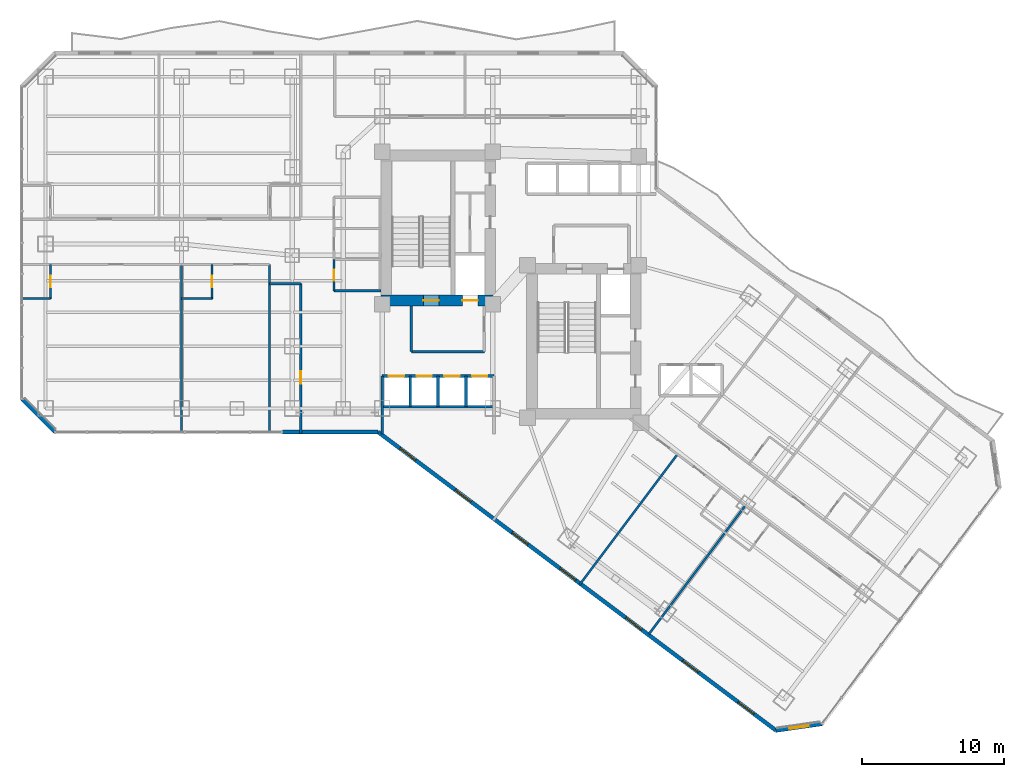
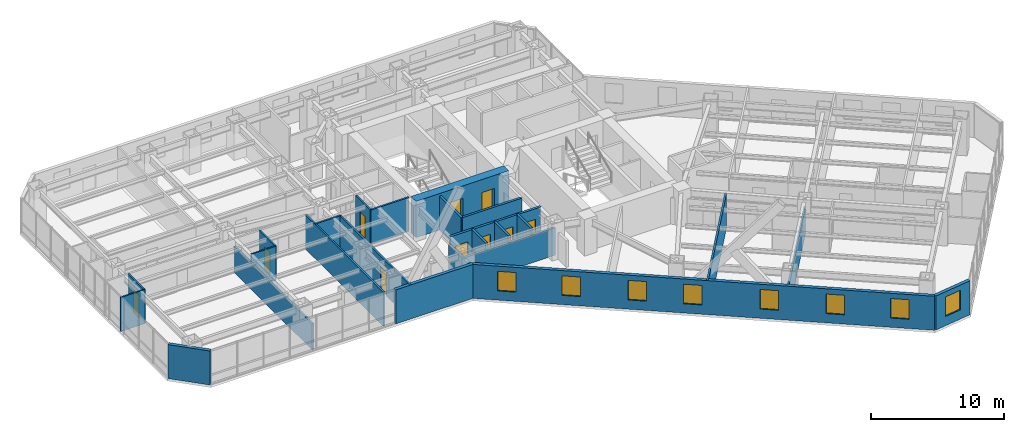
# One storey, part 23 of 33: 25 walls, 10 doors, 8 windows, 18 openings.
"""IFC4 building model written with IfcOpenShell, lengths in metres."""

from ifc_helpers import new_model, si_unit, direction, frame, frame_2d, origin, place, context, subcontext, project, spatial, rectangle, extrude, material, layer, layer_set, type_object, element, fill, save


model = new_model("IFC4")

# Units and contexts
model_context = context("Model", 3, precision=1e-05, world=origin(), true_north=direction((0.0, 1.0)))
body_context = subcontext(model_context, "Body", "Model", "MODEL_VIEW")
ifc_project = project(units=[si_unit("LENGTHUNIT", "METRE"), si_unit("AREAUNIT", "SQUARE_METRE"), si_unit("VOLUMEUNIT", "CUBIC_METRE"), si_unit("PLANEANGLEUNIT", "RADIAN"), si_unit("MASSUNIT", "GRAM", prefix="KILO")], contexts=[model_context])

# Site, building, storey
site_placement = place(None, origin())
site = spatial("IfcSite", under=ifc_project, at=site_placement, CompositionType="ELEMENT")
building_placement = place(site_placement, origin())
building = spatial("IfcBuilding", under=site, at=building_placement, Name="Hatsunagi Terrace Concourse", CompositionType="ELEMENT")
storey_placement = place(building_placement, frame((0.0, 0.0, 53.35009765625)))
storey = spatial("IfcBuildingStorey", under=building, at=storey_placement, Name="L13", CompositionType="ELEMENT", Elevation=53.35009765625)

# Wall, openings, doors
ifc_material_1 = material(Name="Concrete Fc60", Category="concrete")
ifc_layer_1 = layer(ifc_material_1, 0.75)
ifc_layer_set_1 = layer_set([ifc_layer_1], Name="CoreShearWall_Fc60_750")
wall_type_1 = type_object("IfcWallType", Name="CoreShearWall_Fc60_750", PredefinedType="SHEAR", material=ifc_layer_set_1)
wall_1_placement = place(storey_placement, frame((25.469970703125, 32.81494140625, 0.0), z_axis=(0.0, 0.0, 1.0), x_axis=(1.0, 0.0, 0.0)))
wall_1 = element("IfcWall", 1, at=wall_1_placement, inside=storey, type_object=wall_type_1, Name="Core A Shear Wall S L13", PredefinedType="SHEAR", context=body_context, shape_type="SweptSolid", body=[
    extrude(rectangle(XDim=8.080078125, YDim=0.75, at=frame_2d((4.0400390625, 0.0))), origin(), (0.0, 0.0, 1.0), 3.349853515625),
])
opening_1_placement = place(wall_1_placement, frame((2.97998046875, 0.0, 0.0)))
opening_1 = element("IfcOpeningElement", 2, at=opening_1_placement, cuts=wall_1, Name="Opening DR-110S", PredefinedType="OPENING", context=body_context, shape_type="SweptSolid", body=[
    extrude(rectangle(XDim=1.10009765625, YDim=2.199951171875, at=frame_2d((0.550048828125, 1.10009765625))), frame((0.0, 0.385009765625, 0.0), z_axis=(0.0, -1.0, 0.0), x_axis=(1.0, 0.0, 0.0)), (0.0, 0.0, 1.0), 0.77001953125),
])
opening_2_placement = place(wall_1_placement, frame((5.72998046875, 0.0, 0.0)))
opening_2 = element("IfcOpeningElement", 3, at=opening_2_placement, cuts=wall_1, Name="Opening LD-01", PredefinedType="OPENING", context=body_context, shape_type="SweptSolid", body=[
    extrude(rectangle(XDim=1.10009765625, YDim=2.14990234375, at=frame_2d((0.550048828125, 1.074951171875))), frame((0.0, 0.385009765625, 0.0), z_axis=(0.0, -1.0, 0.0), x_axis=(1.0, 0.0, 0.0)), (0.0, 0.0, 1.0), 0.77001953125),
])
ifc_material_2 = material(Name="Stainless steel", Category="steel")
door_type_1 = type_object("IfcDoorType", Name="LiftLandingDoor_LD01", OperationType="SLIDING_TO_LEFT", PredefinedType="USERDEFINED", material=ifc_material_2)
door_1_placement = place(opening_2_placement, origin())
door_1 = element("IfcDoor", 4, at=door_1_placement, inside=storey, type_object=door_type_1, Name="Lift landing door FF-01 L13", ObjectType="SLIDING_LANDING_DOOR", OperationType="SLIDING_TO_LEFT", OverallHeight=2.14990234375, OverallWidth=1.10009765625, PredefinedType="USERDEFINED", context=body_context, shape_type="SweptSolid", body=[
    extrude(rectangle(XDim=1.10009765625, YDim=2.14990234375, at=frame_2d((0.550048828125, 1.074951171875))), frame((0.0, 0.02490234375, 0.0), z_axis=(0.0, -1.0, 0.0), x_axis=(1.0, 0.0, 0.0)), (0.0, 0.0, 1.0), 0.050048828125),
])
fill(opening_2, door_1)
ifc_material_3 = material(Name="Painted steel", Category="steel")
door_type_2 = type_object("IfcDoorType", Name="StairFireDoor_EI60_1100", OperationType="NOTDEFINED", PredefinedType="DOOR", material=ifc_material_3)
door_2_placement = place(opening_1_placement, origin())
door_2 = element("IfcDoor", 5, at=door_2_placement, inside=storey, type_object=door_type_2, Name="Stair ST-A Exit Door L13", OperationType="SINGLE_SWING_LEFT", OverallHeight=2.199951171875, OverallWidth=1.10009765625, PredefinedType="DOOR", context=body_context, shape_type="SweptSolid", body=[
    extrude(rectangle(XDim=1.10009765625, YDim=2.199951171875, at=frame_2d((0.550048828125, 1.10009765625))), frame((0.0, 0.02490234375, 0.0), z_axis=(0.0, -1.0, 0.0), x_axis=(1.0, 0.0, 0.0)), (0.0, 0.0, 1.0), 0.050048828125),
])
fill(opening_1, door_2)

# Wall, opening, door
ifc_material_4 = material(Name="Acoustic mineral board", Category="gypsum")
ifc_layer_2 = layer(ifc_material_4, 0.1201171875)
ifc_layer_set_2 = layer_set([ifc_layer_2], Name="PartitionWall_EI30_120")
wall_type_2 = type_object("IfcWallType", Name="PartitionWall_EI30_120", PredefinedType="PARTITIONING", material=ifc_layer_set_2)
wall_2_placement = place(storey_placement, frame((2.14990234375, 32.949951171875, 0.0), z_axis=(0.0, 0.0, 1.0), x_axis=(0.0, 1.0, 0.0)))
wall_2 = element("IfcWall", 6, at=wall_2_placement, inside=storey, type_object=wall_type_2, Name="Interior Partition IW-L13-057", PredefinedType="PARTITIONING", context=body_context, shape_type="SweptSolid", body=[
    extrude(rectangle(XDim=2.400146484375, YDim=0.1201171875, at=frame_2d((1.2001953125, 0.0))), origin(), (0.0, 0.0, 1.0), 3.1298828125),
])
opening_3_placement = place(wall_2_placement, frame((0.800048828125, 0.0, 0.0)))
opening_3 = element("IfcOpeningElement", 7, at=opening_3_placement, cuts=wall_2, Name="Opening DR-080", PredefinedType="OPENING", context=body_context, shape_type="SweptSolid", body=[
    extrude(rectangle(XDim=0.800048828125, YDim=2.06005859375, at=frame_2d((0.39990234375, 1.030029296875))), frame((0.0, 0.070068359375, 0.0), z_axis=(0.0, -1.0, 0.0), x_axis=(1.0, 0.0, 0.0)), (0.0, 0.0, 1.0), 0.14013671875),
])
ifc_material_5 = material(Name="Hardwood timber", Category="wood")
door_type_3 = type_object("IfcDoorType", Name="BathroomDoor_800", OperationType="NOTDEFINED", PredefinedType="DOOR", material=ifc_material_5)
door_3_placement = place(opening_3_placement, origin())
door_3 = element("IfcDoor", 8, at=door_3_placement, inside=storey, type_object=door_type_3, Name="En-Suite Bathroom L13-S1 Door", OperationType="SINGLE_SWING_RIGHT", OverallHeight=2.06005859375, OverallWidth=0.800048828125, PredefinedType="DOOR", context=body_context, shape_type="SweptSolid", body=[
    extrude(rectangle(XDim=0.800048828125, YDim=2.06005859375, at=frame_2d((0.39990234375, 1.030029296875))), frame((0.0, 0.02490234375, 0.0), z_axis=(0.0, -1.0, 0.0), x_axis=(1.0, 0.0, 0.0)), (0.0, 0.0, 1.0), 0.050048828125),
])
fill(opening_3, door_3)

# Wall
wall_3_placement = place(storey_placement, frame((0.0400390625, 32.949951171875, 0.0), z_axis=(0.0, 0.0, 1.0), x_axis=(1.0, 0.0, 0.0)))
element("IfcWall", 9, at=wall_3_placement, inside=storey, type_object=wall_type_2, Name="Interior Partition IW-L13-058", PredefinedType="PARTITIONING", context=body_context, shape_type="SweptSolid", body=[
    extrude(rectangle(XDim=2.10986328125, YDim=0.1201171875, at=frame_2d((1.054931640625, 0.0))), origin(), (0.0, 0.0, 1.0), 3.1298828125),
])

# Wall, opening, door
wall_4_placement = place(storey_placement, frame((13.550048828125, 32.949951171875, 0.0), z_axis=(0.0, 0.0, 1.0), x_axis=(0.0, 1.0, 0.0)))
wall_4 = element("IfcWall", 10, at=wall_4_placement, inside=storey, type_object=wall_type_2, Name="Interior Partition IW-L13-062", PredefinedType="PARTITIONING", context=body_context, shape_type="SweptSolid", body=[
    extrude(rectangle(XDim=2.400146484375, YDim=0.1201171875, at=frame_2d((1.2001953125, 0.0))), origin(), (0.0, 0.0, 1.0), 3.1298828125),
])
opening_4_placement = place(wall_4_placement, frame((0.800048828125, 0.0, 0.0)))
opening_4 = element("IfcOpeningElement", 11, at=opening_4_placement, cuts=wall_4, Name="Opening DR-080", PredefinedType="OPENING", context=body_context, shape_type="SweptSolid", body=[
    extrude(rectangle(XDim=0.800048828125, YDim=2.06005859375, at=frame_2d((0.39990234375, 1.030029296875))), frame((0.0, 0.070068359375, 0.0), z_axis=(0.0, -1.0, 0.0), x_axis=(1.0, 0.0, 0.0)), (0.0, 0.0, 1.0), 0.14013671875),
])
door_4_placement = place(opening_4_placement, origin())
door_4 = element("IfcDoor", 12, at=door_4_placement, inside=storey, type_object=door_type_3, Name="En-Suite Bathroom L13-S2 Door", OperationType="SINGLE_SWING_RIGHT", OverallHeight=2.06005859375, OverallWidth=0.800048828125, PredefinedType="DOOR", context=body_context, shape_type="SweptSolid", body=[
    extrude(rectangle(XDim=0.800048828125, YDim=2.06005859375, at=frame_2d((0.39990234375, 1.030029296875))), frame((0.0, 0.02490234375, 0.0), z_axis=(0.0, -1.0, 0.0), x_axis=(1.0, 0.0, 0.0)), (0.0, 0.0, 1.0), 0.050048828125),
])
fill(opening_4, door_4)

# Walls
wall_5_placement = place(storey_placement, frame((11.39990234375, 32.949951171875, 0.0), z_axis=(0.0, 0.0, 1.0), x_axis=(1.0, 0.0, 0.0)))
element("IfcWall", 13, at=wall_5_placement, inside=storey, type_object=wall_type_2, Name="Interior Partition IW-L13-063", PredefinedType="PARTITIONING", context=body_context, shape_type="SweptSolid", body=[
    extrude(rectangle(XDim=2.150146484375, YDim=0.1201171875, at=frame_2d((1.0751953125, 0.0))), origin(), (0.0, 0.0, 1.0), 3.1298828125),
])
ifc_material_6 = material(Name="Acoustic mineral board", Category="gypsum")
ifc_layer_3 = layer(ifc_material_6, 0.14990234375)
ifc_layer_set_3 = layer_set([ifc_layer_3], Name="PartitionWall_EI60_150")
wall_type_3 = type_object("IfcWallType", Name="PartitionWall_EI60_150", PredefinedType="PARTITIONING", material=ifc_layer_set_3)
wall_6_placement = place(storey_placement, frame((22.14990234375, 33.5, 0.0), z_axis=(0.0, 0.0, 1.0), x_axis=(1.0, 0.0, 0.0)))
element("IfcWall", 14, at=wall_6_placement, inside=storey, type_object=wall_type_3, Name="Interior Partition IW-L13-030", PredefinedType="PARTITIONING", context=body_context, shape_type="SweptSolid", body=[
    extrude(rectangle(XDim=3.300048828125, YDim=0.14990234375, at=frame_2d((1.64990234375, 0.0))), origin(), (0.0, 0.0, 1.0), 3.1298828125),
])

# Wall, opening, door
wall_7_placement = place(storey_placement, frame((22.14990234375, 33.5, 0.0), z_axis=(0.0, 0.0, 1.0), x_axis=(0.0, 1.0, 0.0)))
wall_7 = element("IfcWall", 15, at=wall_7_placement, inside=storey, type_object=wall_type_3, Name="Interior Partition IW-L13-035", PredefinedType="PARTITIONING", context=body_context, shape_type="SweptSolid", body=[
    extrude(rectangle(XDim=2.199951171875, YDim=0.14990234375, at=frame_2d((1.10009765625, 0.0))), origin(), (0.0, 0.0, 1.0), 3.1298828125),
])
opening_5_placement = place(wall_7_placement, frame((0.699951171875, 0.0, 0.0)))
opening_5 = element("IfcOpeningElement", 16, at=opening_5_placement, cuts=wall_7, Name="Opening DR-080", PredefinedType="OPENING", context=body_context, shape_type="SweptSolid", body=[
    extrude(rectangle(XDim=0.800048828125, YDim=2.06005859375, at=frame_2d((0.39990234375, 1.030029296875))), frame((0.0, 0.0849609375, 0.0), z_axis=(0.0, -1.0, 0.0), x_axis=(1.0, 0.0, 0.0)), (0.0, 0.0, 1.0), 0.169921875),
])
door_5_placement = place(opening_5_placement, origin())
door_5 = element("IfcDoor", 17, at=door_5_placement, inside=storey, type_object=door_type_3, Name="Accessible WC Door L13", OperationType="SINGLE_SWING_RIGHT", OverallHeight=2.06005859375, OverallWidth=0.800048828125, PredefinedType="DOOR", context=body_context, shape_type="SweptSolid", body=[
    extrude(rectangle(XDim=0.800048828125, YDim=2.06005859375, at=frame_2d((0.39990234375, 1.030029296875))), frame((0.0, 0.02490234375, 0.0), z_axis=(0.0, -1.0, 0.0), x_axis=(1.0, 0.0, 0.0)), (0.0, 0.0, 1.0), 0.050048828125),
])
fill(opening_5, door_5)

# Walls
wall_8_placement = place(storey_placement, frame((39.464111328125, 12.751953125, 0.0), z_axis=(0.0, 0.0, 1.0), x_axis=(0.6, 0.8, 0.0)))
element("IfcWall", 18, at=wall_8_placement, inside=storey, type_object=wall_type_3, Name="Interior Partition IW-L13-044", PredefinedType="PARTITIONING", context=body_context, shape_type="SweptSolid", body=[
    extrude(rectangle(XDim=11.510009765625, YDim=0.14990234375, at=frame_2d((5.7548828125, 0.0))), origin(), (0.0, 0.0, 1.0), 3.1298828125),
])
wall_9_placement = place(storey_placement, frame((11.39990234375, 23.60009765625, 0.0), z_axis=(0.0, 0.0, 1.0), x_axis=(0.0, 1.0, 0.0)))
element("IfcWall", 19, at=wall_9_placement, inside=storey, type_object=wall_type_3, Name="Interior Partition IW-L13-059", PredefinedType="PARTITIONING", context=body_context, shape_type="SweptSolid", body=[
    extrude(rectangle(XDim=11.75, YDim=0.14990234375, at=frame_2d((5.875, 0.0))), origin(), (0.0, 0.0, 1.0), 2.4248046875),
])
wall_10_placement = place(storey_placement, frame((17.60009765625, 23.60009765625, 0.0), z_axis=(0.0, 0.0, 1.0), x_axis=(0.0, 1.0, 0.0)))
element("IfcWall", 20, at=wall_10_placement, inside=storey, type_object=wall_type_3, Name="Interior Partition IW-L13-064", PredefinedType="PARTITIONING", context=body_context, shape_type="SweptSolid", body=[
    extrude(rectangle(XDim=11.75, YDim=0.14990234375, at=frame_2d((5.875, 0.0))), origin(), (0.0, 0.0, 1.0), 3.1298828125),
])
wall_11_placement = place(storey_placement, frame((17.60009765625, 34.0, 0.0), z_axis=(0.0, 0.0, 1.0), x_axis=(1.0, 0.0, 0.0)))
element("IfcWall", 21, at=wall_11_placement, inside=storey, type_object=wall_type_3, Name="Interior Partition IW-L13-065", PredefinedType="PARTITIONING", context=body_context, shape_type="SweptSolid", body=[
    extrude(rectangle(XDim=2.199951171875, YDim=0.14990234375, at=frame_2d((1.10009765625, 0.0))), origin(), (0.0, 0.0, 1.0), 3.1298828125),
])

# Wall, opening, door
wall_12_placement = place(storey_placement, frame((19.800048828125, 23.43994140625, 0.0), z_axis=(0.0, 0.0, 1.0), x_axis=(0.0, 1.0, 0.0)))
wall_12 = element("IfcWall", 22, at=wall_12_placement, inside=storey, type_object=wall_type_3, Name="Interior Partition IW-L13-066", PredefinedType="PARTITIONING", context=body_context, shape_type="SweptSolid", body=[
    extrude(rectangle(XDim=10.56005859375, YDim=0.14990234375, at=frame_2d((5.280029296875, 0.0))), origin(), (0.0, 0.0, 1.0), 3.1298828125),
])
opening_6_placement = place(wall_12_placement, frame((3.4951171875, 0.0, 0.0)))
opening_6 = element("IfcOpeningElement", 23, at=opening_6_placement, cuts=wall_12, Name="Opening DR-090", PredefinedType="OPENING", context=body_context, shape_type="SweptSolid", body=[
    extrude(rectangle(XDim=0.89990234375, YDim=2.14990234375, at=frame_2d((0.449951171875, 1.074951171875))), frame((0.0, 0.0849609375, 0.0), z_axis=(0.0, -1.0, 0.0), x_axis=(1.0, 0.0, 0.0)), (0.0, 0.0, 1.0), 0.169921875),
])
ifc_material_7 = material(Name="Hardwood timber", Category="wood")
door_type_4 = type_object("IfcDoorType", Name="CrownPavilionDoor_EI30_900", OperationType="NOTDEFINED", PredefinedType="DOOR", material=ifc_material_7)
door_6_placement = place(opening_6_placement, origin())
door_6 = element("IfcDoor", 24, at=door_6_placement, inside=storey, type_object=door_type_4, Name="Catering Pantry L13-HPAN Door", OperationType="SINGLE_SWING_RIGHT", OverallHeight=2.14990234375, OverallWidth=0.89990234375, PredefinedType="DOOR", context=body_context, shape_type="SweptSolid", body=[
    extrude(rectangle(XDim=0.89990234375, YDim=2.14990234375, at=frame_2d((0.449951171875, 1.074951171875))), frame((0.0, 0.02490234375, 0.0), z_axis=(0.0, -1.0, 0.0), x_axis=(1.0, 0.0, 0.0)), (0.0, 0.0, 1.0), 0.050048828125),
])
fill(opening_6, door_6)

# Walls
wall_13_placement = place(storey_placement, frame((44.360107421875, 9.280029296875, 0.0), z_axis=(0.0, 0.0, 1.0), x_axis=(0.599986233332, 0.800010324816, 0.0)))
element("IfcWall", 25, at=wall_13_placement, inside=storey, type_object=wall_type_3, Name="Interior Partition IW-L13-086", PredefinedType="PARTITIONING", context=body_context, shape_type="SweptSolid", body=[
    extrude(rectangle(XDim=11.349853515625, YDim=0.14990234375, at=frame_2d((5.6748046875, 0.0))), origin(), (0.0, 0.0, 1.0), 2.4248046875),
])
ifc_material_8 = material(Name="Acoustic mineral board", Category="gypsum")
ifc_layer_4 = layer(ifc_material_8, 0.199951171875)
ifc_layer_set_4 = layer_set([ifc_layer_4], Name="ShaftWall_EI120_200")
wall_type_4 = type_object("IfcWallType", Name="ShaftWall_EI120_200", PredefinedType="STANDARD", material=ifc_layer_set_4)
wall_14_placement = place(storey_placement, frame((27.60009765625, 29.199951171875, 0.0), z_axis=(0.0, 0.0, 1.0), x_axis=(1.0, 0.0, 0.0)))
element("IfcWall", 26, at=wall_14_placement, inside=storey, type_object=wall_type_4, Name="Interior Partition IW-L13-006", PredefinedType="STANDARD", context=body_context, shape_type="SweptSolid", body=[
    extrude(rectangle(XDim=5.14990234375, YDim=0.199951171875, at=frame_2d((2.574951171875, 0.0))), origin(), (0.0, 0.0, 1.0), 3.1298828125),
])
wall_15_placement = place(storey_placement, frame((27.60009765625, 29.199951171875, 0.0), z_axis=(0.0, 0.0, 1.0), x_axis=(0.0, 1.0, 0.0)))
element("IfcWall", 27, at=wall_15_placement, inside=storey, type_object=wall_type_4, Name="Interior Partition IW-L13-007", PredefinedType="STANDARD", context=body_context, shape_type="SweptSolid", body=[
    extrude(rectangle(XDim=3.239990234375, YDim=0.199951171875, at=frame_2d((1.6201171875, 0.0))), origin(), (0.0, 0.0, 1.0), 3.1298828125),
])
wall_16_placement = place(storey_placement, frame((25.550048828125, 23.39990234375, 0.0), z_axis=(0.0, 0.0, 1.0), x_axis=(0.0, 1.0, 0.0)))
element("IfcWall", 28, at=wall_16_placement, inside=storey, type_object=wall_type_4, Name="Interior Partition IW-L13-012", PredefinedType="STANDARD", context=body_context, shape_type="SweptSolid", body=[
    extrude(rectangle(XDim=4.080078125, YDim=0.199951171875, at=frame_2d((2.0400390625, 0.0))), origin(), (0.0, 0.0, 1.0), 2.4248046875),
])
wall_17_placement = place(storey_placement, frame((25.550048828125, 25.320068359375, 0.0), z_axis=(0.0, 0.0, 1.0), x_axis=(1.0, 0.0, 0.0)))
element("IfcWall", 29, at=wall_17_placement, inside=storey, type_object=wall_type_4, Name="Interior Partition IW-L13-014", PredefinedType="STANDARD", context=body_context, shape_type="SweptSolid", body=[
    extrude(rectangle(XDim=7.8798828125, YDim=0.199951171875, at=frame_2d((3.93994140625, 0.0))), origin(), (0.0, 0.0, 1.0), 2.52490234375),
])
for number, where, z_axis, x_axis, name in (
    (30, (27.530029296875, 25.320068359375, 0.0), (0.0, 0.0, 1.0), (0.0, 1.0, 0.0), "Interior Partition IW-L13-015"),
    (31, (29.489990234375, 25.320068359375, 0.0), (0.0, 0.0, 1.0), (0.0, 1.0, 0.0), "Interior Partition IW-L13-016"),
    (32, (31.449951171875, 25.320068359375, 0.0), (0.0, 0.0, 1.0), (0.0, 1.0, 0.0), "Interior Partition IW-L13-017"),
):
    element("IfcWall", number, at=place(storey_placement, frame(where, z_axis=z_axis, x_axis=x_axis)), inside=storey, type_object=wall_type_4, Name=name, PredefinedType="STANDARD", context=body_context, shape_type="SweptSolid", body=[
        extrude(rectangle(XDim=2.159912109375, YDim=0.199951171875, at=frame_2d((1.080078125, 0.0))), origin(), (0.0, 0.0, 1.0), 3.1298828125),
    ])

# Wall, openings, doors
wall_18_placement = place(storey_placement, frame((25.550048828125, 27.47998046875, 0.0), z_axis=(0.0, 0.0, 1.0), x_axis=(1.0, 0.0, 0.0)))
wall_18 = element("IfcWall", 33, at=wall_18_placement, inside=storey, type_object=wall_type_4, Name="Interior Partition IW-L13-018", PredefinedType="STANDARD", context=body_context, shape_type="SweptSolid", body=[
    extrude(rectangle(XDim=7.8798828125, YDim=0.199951171875, at=frame_2d((3.93994140625, 0.0))), origin(), (0.0, 0.0, 1.0), 3.1298828125),
])
opening_7_placement = place(wall_18_placement, frame((0.4599609375, 0.0, 0.0)))
opening_7 = element("IfcOpeningElement", 34, at=opening_7_placement, cuts=wall_18, Name="Opening LD-03", PredefinedType="OPENING", context=body_context, shape_type="SweptSolid", body=[
    extrude(rectangle(XDim=1.080078125, YDim=2.14990234375, at=frame_2d((0.5400390625, 1.074951171875))), frame((0.0, 0.10986328125, 0.0), z_axis=(0.0, -1.0, 0.0), x_axis=(1.0, 0.0, 0.0)), (0.0, 0.0, 1.0), 0.219970703125),
])
opening_8_placement = place(wall_18_placement, frame((2.419921875, 0.0, 0.0)))
opening_8 = element("IfcOpeningElement", 35, at=opening_8_placement, cuts=wall_18, Name="Opening LD-03", PredefinedType="OPENING", context=body_context, shape_type="SweptSolid", body=[
    extrude(rectangle(XDim=1.080078125, YDim=2.14990234375, at=frame_2d((0.5400390625, 1.074951171875))), frame((0.0, 0.10986328125, 0.0), z_axis=(0.0, -1.0, 0.0), x_axis=(1.0, 0.0, 0.0)), (0.0, 0.0, 1.0), 0.219970703125),
])
opening_9_placement = place(wall_18_placement, frame((4.3798828125, 0.0, 0.0)))
opening_9 = element("IfcOpeningElement", 36, at=opening_9_placement, cuts=wall_18, Name="Opening LD-03", PredefinedType="OPENING", context=body_context, shape_type="SweptSolid", body=[
    extrude(rectangle(XDim=1.080078125, YDim=2.14990234375, at=frame_2d((0.5400390625, 1.074951171875))), frame((0.0, 0.10986328125, 0.0), z_axis=(0.0, -1.0, 0.0), x_axis=(1.0, 0.0, 0.0)), (0.0, 0.0, 1.0), 0.219970703125),
])
opening_10_placement = place(wall_18_placement, frame((6.340087890625, 0.0, 0.0)))
opening_10 = element("IfcOpeningElement", 37, at=opening_10_placement, cuts=wall_18, Name="Opening LD-03", PredefinedType="OPENING", context=body_context, shape_type="SweptSolid", body=[
    extrude(rectangle(XDim=1.080078125, YDim=2.14990234375, at=frame_2d((0.5400390625, 1.074951171875))), frame((0.0, 0.10986328125, 0.0), z_axis=(0.0, -1.0, 0.0), x_axis=(1.0, 0.0, 0.0)), (0.0, 0.0, 1.0), 0.219970703125),
])
ifc_material_9 = material(Name="Stainless steel", Category="steel")
door_type_5 = type_object("IfcDoorType", Name="LiftLandingDoor_LD03", OperationType="SLIDING_TO_LEFT", PredefinedType="USERDEFINED", material=ifc_material_9)
door_7_placement = place(opening_7_placement, origin())
door_7 = element("IfcDoor", 38, at=door_7_placement, inside=storey, type_object=door_type_5, Name="Lift landing door PL-01 L13", ObjectType="SLIDING_LANDING_DOOR", OperationType="SLIDING_TO_LEFT", OverallHeight=2.14990234375, OverallWidth=1.080078125, PredefinedType="USERDEFINED", context=body_context, shape_type="SweptSolid", body=[
    extrude(rectangle(XDim=1.080078125, YDim=2.14990234375, at=frame_2d((0.5400390625, 1.074951171875))), frame((0.0, 0.02490234375, 0.0), z_axis=(0.0, -1.0, 0.0), x_axis=(1.0, 0.0, 0.0)), (0.0, 0.0, 1.0), 0.050048828125),
])
fill(opening_7, door_7)
door_8_placement = place(opening_8_placement, origin())
door_8 = element("IfcDoor", 39, at=door_8_placement, inside=storey, type_object=door_type_5, Name="Lift landing door PL-02 L13", ObjectType="SLIDING_LANDING_DOOR", OperationType="SLIDING_TO_LEFT", OverallHeight=2.14990234375, OverallWidth=1.080078125, PredefinedType="USERDEFINED", context=body_context, shape_type="SweptSolid", body=[
    extrude(rectangle(XDim=1.080078125, YDim=2.14990234375, at=frame_2d((0.5400390625, 1.074951171875))), frame((0.0, 0.02490234375, 0.0), z_axis=(0.0, -1.0, 0.0), x_axis=(1.0, 0.0, 0.0)), (0.0, 0.0, 1.0), 0.050048828125),
])
fill(opening_8, door_8)
door_9_placement = place(opening_9_placement, origin())
door_9 = element("IfcDoor", 40, at=door_9_placement, inside=storey, type_object=door_type_5, Name="Lift landing door PL-03 L13", ObjectType="SLIDING_LANDING_DOOR", OperationType="SLIDING_TO_LEFT", OverallHeight=2.14990234375, OverallWidth=1.080078125, PredefinedType="USERDEFINED", context=body_context, shape_type="SweptSolid", body=[
    extrude(rectangle(XDim=1.080078125, YDim=2.14990234375, at=frame_2d((0.5400390625, 1.074951171875))), frame((0.0, 0.02490234375, 0.0), z_axis=(0.0, -1.0, 0.0), x_axis=(1.0, 0.0, 0.0)), (0.0, 0.0, 1.0), 0.050048828125),
])
fill(opening_9, door_9)
door_10_placement = place(opening_10_placement, origin())
door_10 = element("IfcDoor", 41, at=door_10_placement, inside=storey, type_object=door_type_5, Name="Lift landing door PL-04 L13", ObjectType="SLIDING_LANDING_DOOR", OperationType="SLIDING_TO_LEFT", OverallHeight=2.14990234375, OverallWidth=1.080078125, PredefinedType="USERDEFINED", context=body_context, shape_type="SweptSolid", body=[
    extrude(rectangle(XDim=1.080078125, YDim=2.14990234375, at=frame_2d((0.5400390625, 1.074951171875))), frame((0.0, 0.02490234375, 0.0), z_axis=(0.0, -1.0, 0.0), x_axis=(1.0, 0.0, 0.0)), (0.0, 0.0, 1.0), 0.050048828125),
])
fill(opening_10, door_10)

# Wall, opening, window
ifc_material_10 = material(Name="Autoclaved Lightweight Concrete and Terracotta Cladding", Category="masonry")
ifc_layer_5 = layer(ifc_material_10, 0.280029296875)
ifc_layer_set_5 = layer_set([ifc_layer_5], Name="TerracottaSpandrelWall_280")
wall_type_5 = type_object("IfcWallType", Name="TerracottaSpandrelWall_280", PredefinedType="STANDARD", material=ifc_layer_set_5)
wall_19_placement = place(storey_placement, frame((56.56298828125, 2.949951171875, 0.0), z_axis=(0.0, 0.0, 1.0), x_axis=(-0.989977778067, -0.141223223777, 0.0)))
wall_19 = element("IfcWall", 42, at=wall_19_placement, inside=storey, type_object=wall_type_5, Name="Exterior Spandrel Wall EW-L13-04", PredefinedType="STANDARD", context=body_context, shape_type="SweptSolid", body=[
    extrude(rectangle(XDim=3.27783203125, YDim=0.280029296875, at=frame_2d((1.638916015625, 0.0))), origin(), (0.0, 0.0, 1.0), 3.1298828125),
])
opening_11_placement = place(wall_19_placement, frame((0.93896484375, 0.0, 0.85009765625)))
opening_11 = element("IfcOpeningElement", 43, at=opening_11_placement, cuts=wall_19, Name="Opening WIN-02", PredefinedType="OPENING", context=body_context, shape_type="SweptSolid", body=[
    extrude(rectangle(XDim=1.39990234375, YDim=1.800048828125, at=frame_2d((0.699951171875, 0.89990234375))), frame((0.0, 0.14990234375, 0.0), z_axis=(0.0, -1.0, 0.0), x_axis=(1.0, 0.0, 0.0)), (0.0, 0.0, 1.0), 0.300048828125),
])
ifc_material_11 = material(Name="Thermally Broken Aluminium and Low-E Triple Glazing", Category="aluminium")
window_type = type_object("IfcWindowType", Name="HotelOperableVentWindow_1400x1800", PartitioningType="DOUBLE_PANEL_VERTICAL", PredefinedType="WINDOW", material=ifc_material_11)
window_1_placement = place(opening_11_placement, origin())
window_1 = element("IfcWindow", 44, at=window_1_placement, inside=storey, type_object=window_type, Name="Hotel Guestroom Window L13-04-1", OverallHeight=1.800048828125, OverallWidth=1.39990234375, PartitioningType="SINGLE_PANEL", PredefinedType="WINDOW", context=body_context, shape_type="SweptSolid", body=[
    extrude(rectangle(XDim=1.39990234375, YDim=1.800048828125, at=frame_2d((0.699951171875, 0.89990234375))), frame((0.0, 0.030029296875, 0.0), z_axis=(0.0, -1.0, 0.0), x_axis=(1.0, 0.0, 0.0)), (0.0, 0.0, 1.0), 0.06005859375),
])
fill(opening_11, window_1)

# Wall, openings, windows
wall_20_placement = place(storey_placement, frame((53.318115234375, 2.487060546875, 0.0), z_axis=(0.0, 0.0, 1.0), x_axis=(-0.800004174678, 0.599994433723, 0.0)))
wall_20 = element("IfcWall", 45, at=wall_20_placement, inside=storey, type_object=wall_type_5, Name="Exterior Spandrel Wall EW-L13-05", PredefinedType="STANDARD", context=body_context, shape_type="SweptSolid", body=[
    extrude(rectangle(XDim=35.088623046875, YDim=0.280029296875, at=frame_2d((17.54443359375, 0.0))), origin(), (0.0, 0.0, 1.0), 3.1298828125),
])
opening_12_placement = place(wall_20_placement, frame((1.930908203125, 0.0, 0.85009765625)))
opening_12 = element("IfcOpeningElement", 46, at=opening_12_placement, cuts=wall_20, Name="Opening WIN-02", PredefinedType="OPENING", context=body_context, shape_type="SweptSolid", body=[
    extrude(rectangle(XDim=1.39990234375, YDim=1.800048828125, at=frame_2d((0.699951171875, 0.89990234375))), frame((0.0, 0.14990234375, 0.0), z_axis=(0.0, -1.0, 0.0), x_axis=(1.0, 0.0, 0.0)), (0.0, 0.0, 1.0), 0.300048828125),
])
opening_13_placement = place(wall_20_placement, frame((6.819091796875, 0.0, 0.85009765625)))
opening_13 = element("IfcOpeningElement", 47, at=opening_13_placement, cuts=wall_20, Name="Opening WIN-02", PredefinedType="OPENING", context=body_context, shape_type="SweptSolid", body=[
    extrude(rectangle(XDim=1.39990234375, YDim=1.800048828125, at=frame_2d((0.699951171875, 0.89990234375))), frame((0.0, 0.14990234375, 0.0), z_axis=(0.0, -1.0, 0.0), x_axis=(1.0, 0.0, 0.0)), (0.0, 0.0, 1.0), 0.300048828125),
])
opening_14_placement = place(wall_20_placement, frame((11.83203125, 0.0, 0.85009765625)))
opening_14 = element("IfcOpeningElement", 48, at=opening_14_placement, cuts=wall_20, Name="Opening WIN-02", PredefinedType="OPENING", context=body_context, shape_type="SweptSolid", body=[
    extrude(rectangle(XDim=1.39990234375, YDim=1.800048828125, at=frame_2d((0.699951171875, 0.89990234375))), frame((0.0, 0.14990234375, 0.0), z_axis=(0.0, -1.0, 0.0), x_axis=(1.0, 0.0, 0.0)), (0.0, 0.0, 1.0), 0.300048828125),
])
opening_15_placement = place(wall_20_placement, frame((17.64697265625, 0.0, 0.85009765625)))
opening_15 = element("IfcOpeningElement", 49, at=opening_15_placement, cuts=wall_20, Name="Opening WIN-02", PredefinedType="OPENING", context=body_context, shape_type="SweptSolid", body=[
    extrude(rectangle(XDim=1.39990234375, YDim=1.800048828125, at=frame_2d((0.699951171875, 0.89990234375))), frame((0.0, 0.14990234375, 0.0), z_axis=(0.0, -1.0, 0.0), x_axis=(1.0, 0.0, 0.0)), (0.0, 0.0, 1.0), 0.300048828125),
])
opening_16_placement = place(wall_20_placement, frame((21.85693359375, 0.0, 0.85009765625)))
opening_16 = element("IfcOpeningElement", 50, at=opening_16_placement, cuts=wall_20, Name="Opening WIN-02", PredefinedType="OPENING", context=body_context, shape_type="SweptSolid", body=[
    extrude(rectangle(XDim=1.39990234375, YDim=1.800048828125, at=frame_2d((0.699951171875, 0.89990234375))), frame((0.0, 0.14990234375, 0.0), z_axis=(0.0, -1.0, 0.0), x_axis=(1.0, 0.0, 0.0)), (0.0, 0.0, 1.0), 0.300048828125),
])
opening_17_placement = place(wall_20_placement, frame((26.8701171875, 0.0, 0.85009765625)))
opening_17 = element("IfcOpeningElement", 51, at=opening_17_placement, cuts=wall_20, Name="Opening WIN-02", PredefinedType="OPENING", context=body_context, shape_type="SweptSolid", body=[
    extrude(rectangle(XDim=1.39990234375, YDim=1.800048828125, at=frame_2d((0.699951171875, 0.89990234375))), frame((0.0, 0.14990234375, 0.0), z_axis=(0.0, -1.0, 0.0), x_axis=(1.0, 0.0, 0.0)), (0.0, 0.0, 1.0), 0.300048828125),
])
opening_18_placement = place(wall_20_placement, frame((31.757080078125, 0.0, 0.85009765625)))
opening_18 = element("IfcOpeningElement", 52, at=opening_18_placement, cuts=wall_20, Name="Opening WIN-02", PredefinedType="OPENING", context=body_context, shape_type="SweptSolid", body=[
    extrude(rectangle(XDim=1.39990234375, YDim=1.800048828125, at=frame_2d((0.699951171875, 0.89990234375))), frame((0.0, 0.14990234375, 0.0), z_axis=(0.0, -1.0, 0.0), x_axis=(1.0, 0.0, 0.0)), (0.0, 0.0, 1.0), 0.300048828125),
])
window_2_placement = place(opening_12_placement, origin())
window_2 = element("IfcWindow", 53, at=window_2_placement, inside=storey, type_object=window_type, Name="Hotel Perimeter Window L13-05-1", OverallHeight=1.800048828125, OverallWidth=1.39990234375, PartitioningType="SINGLE_PANEL", PredefinedType="WINDOW", context=body_context, shape_type="SweptSolid", body=[
    extrude(rectangle(XDim=1.39990234375, YDim=1.800048828125, at=frame_2d((0.699951171875, 0.89990234375))), frame((0.0, 0.030029296875, 0.0), z_axis=(0.0, -1.0, 0.0), x_axis=(1.0, 0.0, 0.0)), (0.0, 0.0, 1.0), 0.06005859375),
])
fill(opening_12, window_2)
window_3_placement = place(opening_13_placement, origin())
window_3 = element("IfcWindow", 54, at=window_3_placement, inside=storey, type_object=window_type, Name="Hotel Perimeter Window L13-05-2", OverallHeight=1.800048828125, OverallWidth=1.39990234375, PartitioningType="SINGLE_PANEL", PredefinedType="WINDOW", context=body_context, shape_type="SweptSolid", body=[
    extrude(rectangle(XDim=1.39990234375, YDim=1.800048828125, at=frame_2d((0.699951171875, 0.89990234375))), frame((0.0, 0.030029296875, 0.0), z_axis=(0.0, -1.0, 0.0), x_axis=(1.0, 0.0, 0.0)), (0.0, 0.0, 1.0), 0.06005859375),
])
fill(opening_13, window_3)
window_4_placement = place(opening_14_placement, origin())
window_4 = element("IfcWindow", 55, at=window_4_placement, inside=storey, type_object=window_type, Name="Hotel Perimeter Window L13-05-3", OverallHeight=1.800048828125, OverallWidth=1.39990234375, PartitioningType="SINGLE_PANEL", PredefinedType="WINDOW", context=body_context, shape_type="SweptSolid", body=[
    extrude(rectangle(XDim=1.39990234375, YDim=1.800048828125, at=frame_2d((0.699951171875, 0.89990234375))), frame((0.0, 0.030029296875, 0.0), z_axis=(0.0, -1.0, 0.0), x_axis=(1.0, 0.0, 0.0)), (0.0, 0.0, 1.0), 0.06005859375),
])
fill(opening_14, window_4)
window_5_placement = place(opening_15_placement, origin())
window_5 = element("IfcWindow", 56, at=window_5_placement, inside=storey, type_object=window_type, Name="Hotel Perimeter Window L13-05-4", OverallHeight=1.800048828125, OverallWidth=1.39990234375, PartitioningType="SINGLE_PANEL", PredefinedType="WINDOW", context=body_context, shape_type="SweptSolid", body=[
    extrude(rectangle(XDim=1.39990234375, YDim=1.800048828125, at=frame_2d((0.699951171875, 0.89990234375))), frame((0.0, 0.030029296875, 0.0), z_axis=(0.0, -1.0, 0.0), x_axis=(1.0, 0.0, 0.0)), (0.0, 0.0, 1.0), 0.06005859375),
])
fill(opening_15, window_5)
window_6_placement = place(opening_16_placement, origin())
window_6 = element("IfcWindow", 57, at=window_6_placement, inside=storey, type_object=window_type, Name="Hotel Perimeter Window L13-05-5", OverallHeight=1.800048828125, OverallWidth=1.39990234375, PartitioningType="SINGLE_PANEL", PredefinedType="WINDOW", context=body_context, shape_type="SweptSolid", body=[
    extrude(rectangle(XDim=1.39990234375, YDim=1.800048828125, at=frame_2d((0.699951171875, 0.89990234375))), frame((0.0, 0.030029296875, 0.0), z_axis=(0.0, -1.0, 0.0), x_axis=(1.0, 0.0, 0.0)), (0.0, 0.0, 1.0), 0.06005859375),
])
fill(opening_16, window_6)
window_7_placement = place(opening_17_placement, origin())
window_7 = element("IfcWindow", 58, at=window_7_placement, inside=storey, type_object=window_type, Name="Hotel Perimeter Window L13-05-6", OverallHeight=1.800048828125, OverallWidth=1.39990234375, PartitioningType="SINGLE_PANEL", PredefinedType="WINDOW", context=body_context, shape_type="SweptSolid", body=[
    extrude(rectangle(XDim=1.39990234375, YDim=1.800048828125, at=frame_2d((0.699951171875, 0.89990234375))), frame((0.0, 0.030029296875, 0.0), z_axis=(0.0, -1.0, 0.0), x_axis=(1.0, 0.0, 0.0)), (0.0, 0.0, 1.0), 0.06005859375),
])
fill(opening_17, window_7)
window_8_placement = place(opening_18_placement, origin())
window_8 = element("IfcWindow", 59, at=window_8_placement, inside=storey, type_object=window_type, Name="Hotel Perimeter Window L13-05-7", OverallHeight=1.800048828125, OverallWidth=1.39990234375, PartitioningType="SINGLE_PANEL", PredefinedType="WINDOW", context=body_context, shape_type="SweptSolid", body=[
    extrude(rectangle(XDim=1.39990234375, YDim=1.800048828125, at=frame_2d((0.699951171875, 0.89990234375))), frame((0.0, 0.030029296875, 0.0), z_axis=(0.0, -1.0, 0.0), x_axis=(1.0, 0.0, 0.0)), (0.0, 0.0, 1.0), 0.06005859375),
])
fill(opening_18, window_8)

# Walls
wall_21_placement = place(storey_placement, frame((25.2470703125, 23.5400390625, 0.0), z_axis=(0.0, 0.0, 1.0), x_axis=(-1.0, 0.0, 0.0)))
element("IfcWall", 60, at=wall_21_placement, inside=storey, type_object=wall_type_5, Name="Exterior Spandrel Wall EW-L13-06", PredefinedType="STANDARD", context=body_context, shape_type="SweptSolid", body=[
    extrude(rectangle(XDim=6.7470703125, YDim=0.280029296875, at=frame_2d((3.37353515625, 0.0))), origin(), (0.0, 0.0, 1.0), 3.1298828125),
])
wall_22_placement = place(storey_placement, frame((2.4580078125, 23.5400390625, 0.0), z_axis=(0.0, 0.0, 1.0), x_axis=(-0.707144017911, 0.707069542501, 0.0)))
element("IfcWall", 61, at=wall_22_placement, inside=storey, type_object=wall_type_5, Name="Exterior Spandrel Wall EW-L13-08", PredefinedType="STANDARD", context=body_context, shape_type="SweptSolid", body=[
    extrude(rectangle(XDim=3.278076171875, YDim=0.280029296875, at=frame_2d((1.63916015625, 0.0))), origin(), (0.0, 0.0, 1.0), 3.1298828125),
])

save(model, "model.ifc")
